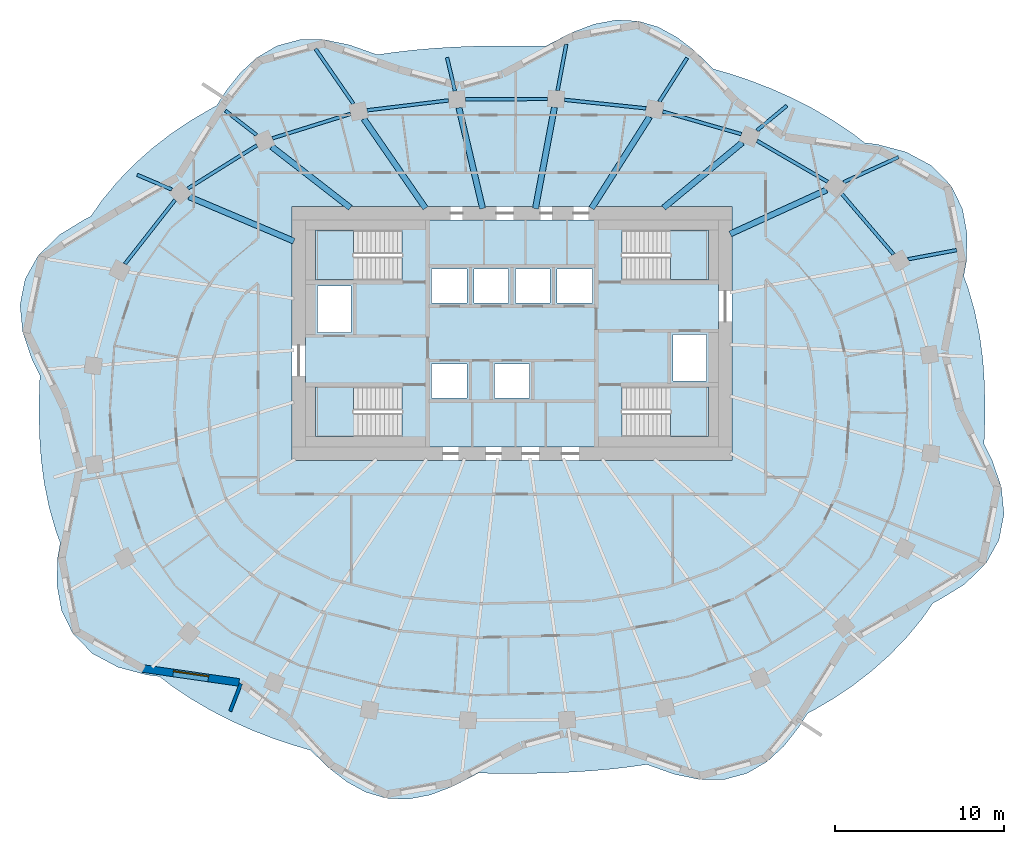
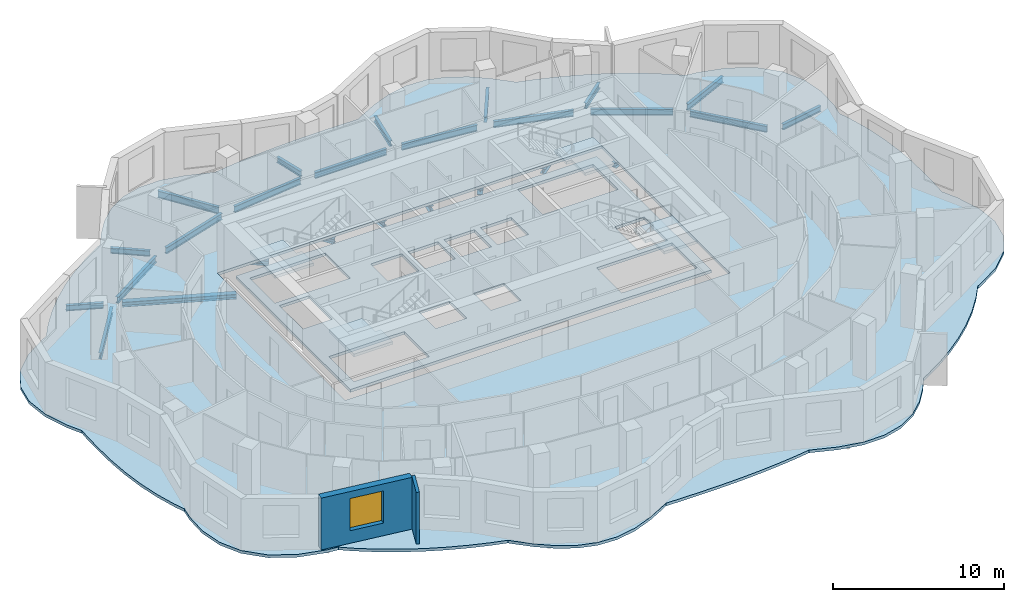
# One storey, part 2 of 11: 26 beams, 6 slabs, 2 walls, 1 window, 1 opening, 4 elements without a shape of their own.
"""IFC4 building model written with IfcOpenShell, lengths in metres."""

from ifc_helpers import new_model, si_unit, direction, frame, frame_2d, origin, origin_2d, place, context, subcontext, project, spatial, polyline, rectangle, i_section, outline, extrude, material, layer, layer_set, material_profile, profile_set, type_object, element, fill, aggregate, save


model = new_model("IFC4")

# Units and contexts
model_context = context("Model", 3, precision=1e-05, world=origin(), true_north=direction((0.0, 1.0)))
body_context = subcontext(model_context, "Body", "Model", "MODEL_VIEW")
ifc_project = project(units=[si_unit("LENGTHUNIT", "METRE"), si_unit("AREAUNIT", "SQUARE_METRE"), si_unit("VOLUMEUNIT", "CUBIC_METRE"), si_unit("PLANEANGLEUNIT", "RADIAN"), si_unit("MASSUNIT", "GRAM", prefix="KILO")], contexts=[model_context])

# Site, building, storey
site_placement = place(None, origin())
site = spatial("IfcSite", under=ifc_project, at=site_placement, CompositionType="ELEMENT")
building_placement = place(site_placement, origin())
building = spatial("IfcBuilding", under=site, at=building_placement, Name="Rubra Terraces Tower", CompositionType="ELEMENT")
storey_placement = place(building_placement, frame((0.0, 0.0, 174.0)))
storey = spatial("IfcBuildingStorey", under=building, at=storey_placement, Name="L42", CompositionType="ELEMENT", Elevation=174.0)

# Beams
ifc_material_1 = material(Name="Steel Q355B", Category="steel")
ifc_material_profile_1 = material_profile(ifc_material_1, i_section(OverallWidth=0.199951171875, OverallDepth=0.39990234375, WebThickness=0.008056640625, FlangeThickness=0.012939453125, at=origin_2d()), Name="HN 400x200x8x13")
ifc_profile_set_1 = profile_set([ifc_material_profile_1], Name="Steel Q355B")
beam_type_1 = type_object("IfcBeamType", Name="CANTILEVER BEAM HN 400x200x8x13", PredefinedType="BEAM", material=ifc_profile_set_1)
beam_1_placement = place(storey_placement, frame((23.39794921875, 8.884033203125, -0.39990234375), z_axis=(0.982856170911, 0.184373933356, 0.0), x_axis=(-0.184373933356, 0.982856170911, 0.0)))
element("IfcBeam", 1, at=beam_1_placement, inside=storey, type_object=beam_type_1, Name="beam-L42-cant-02", PredefinedType="BEAM", context=body_context, shape_type="SweptSolid", body=[
    extrude(i_section(OverallWidth=0.199951171875, OverallDepth=0.39990234375, WebThickness=0.008056640625, FlangeThickness=0.012939453125, at=origin_2d()), origin(), (0.0, 0.0, 1.0), 2.934326171875),
])
beam_2_placement = place(storey_placement, frame((14.47509765625, 16.4951171875, -0.39990234375), z_axis=(0.769939283083, 0.63811715254, 0.0), x_axis=(-0.63811715254, 0.769939283083, 0.0)))
element("IfcBeam", 2, at=beam_2_placement, inside=storey, type_object=beam_type_1, Name="beam-L42-cant-04", PredefinedType="BEAM", context=body_context, shape_type="SweptSolid", body=[
    extrude(i_section(OverallWidth=0.199951171875, OverallDepth=0.39990234375, WebThickness=0.008056640625, FlangeThickness=0.012939453125, at=origin_2d()), origin(), (0.0, 0.0, 1.0), 2.291015625),
])
beam_3_placement = place(storey_placement, frame((8.7099609375, 18.201904296875, -0.39990234375), z_axis=(0.536555231363, 0.843865204696, 0.0), x_axis=(-0.843865204696, 0.536555231363, 0.0)))
element("IfcBeam", 3, at=beam_3_placement, inside=storey, type_object=beam_type_1, Name="beam-L42-cant-05", PredefinedType="BEAM", context=body_context, shape_type="SweptSolid", body=[
    extrude(i_section(OverallWidth=0.199951171875, OverallDepth=0.39990234375, WebThickness=0.008056640625, FlangeThickness=0.012939453125, at=origin_2d()), origin(), (0.0, 0.0, 1.0), 3.05859375),
])
beam_4_placement = place(storey_placement, frame((2.695068359375, 18.85400390625, -0.39990234375), z_axis=(0.184719314681, 0.982791318024, 0.0), x_axis=(-0.982791318024, 0.184719314681, 0.0)))
element("IfcBeam", 4, at=beam_4_placement, inside=storey, type_object=beam_type_1, Name="beam-L42-cant-06", PredefinedType="BEAM", context=body_context, shape_type="SweptSolid", body=[
    extrude(i_section(OverallWidth=0.199951171875, OverallDepth=0.39990234375, WebThickness=0.008056640625, FlangeThickness=0.012939453125, at=origin_2d()), origin(), (0.0, 0.0, 1.0), 2.771484375),
])
beam_5_placement = place(storey_placement, frame((-3.3701171875, 18.823974609375, -0.39990234375), z_axis=(-0.229146211708, 0.97339201438, 0.0), x_axis=(-0.97339201438, -0.229146211708, 0.0)))
element("IfcBeam", 5, at=beam_5_placement, inside=storey, type_object=beam_type_1, Name="beam-L42-cant-07", PredefinedType="BEAM", context=body_context, shape_type="SweptSolid", body=[
    extrude(i_section(OverallWidth=0.199951171875, OverallDepth=0.39990234375, WebThickness=0.008056640625, FlangeThickness=0.012939453125, at=origin_2d()), origin(), (0.0, 0.0, 1.0), 2.037109375),
])
beam_6_placement = place(storey_placement, frame((-15.087890625, 16.22705078125, -0.39990234375), z_axis=(-0.789487046364, 0.613767222669, 0.0), x_axis=(-0.613767222669, -0.789487046364, 0.0)))
element("IfcBeam", 6, at=beam_6_placement, inside=storey, type_object=beam_type_1, Name="beam-L42-cant-09", PredefinedType="BEAM", context=body_context, shape_type="SweptSolid", body=[
    extrude(i_section(OverallWidth=0.199951171875, OverallDepth=0.39990234375, WebThickness=0.008056640625, FlangeThickness=0.012939453125, at=origin_2d()), origin(), (0.0, 0.0, 1.0), 2.339599609375),
])
beam_7_placement = place(storey_placement, frame((-20.10205078125, 13.0048828125, -0.39990234375), z_axis=(-0.920797229699, 0.390041615445, 0.0), x_axis=(-0.390041615445, -0.920797229699, 0.0)))
element("IfcBeam", 7, at=beam_7_placement, inside=storey, type_object=beam_type_1, Name="beam-L42-cant-10", PredefinedType="BEAM", context=body_context, shape_type="SweptSolid", body=[
    extrude(i_section(OverallWidth=0.199951171875, OverallDepth=0.39990234375, WebThickness=0.008056640625, FlangeThickness=0.012939453125, at=origin_2d()), origin(), (0.0, 0.0, 1.0), 2.220703125),
])
ifc_material_profile_2 = material_profile(ifc_material_1, i_section(OverallWidth=0.198974609375, OverallDepth=0.446044921875, WebThickness=0.008056640625, FlangeThickness=0.011962890625, at=origin_2d()), Name="HN 446x199x8x12")
ifc_profile_set_2 = profile_set([ifc_material_profile_2], Name="Steel Q355B")
beam_type_2 = type_object("IfcBeamType", Name="CANTILEVER BEAM HN 446x199x8x12", PredefinedType="BEAM", material=ifc_profile_set_2)
beam_8_placement = place(storey_placement, frame((19.596923828125, 13.43896484375, -0.423095703125), z_axis=(0.909750987553, 0.415154357614, 0.0), x_axis=(-0.415154357614, 0.909750987553, 0.0)))
element("IfcBeam", 8, at=beam_8_placement, inside=storey, type_object=beam_type_2, Name="beam-L42-cant-03", PredefinedType="BEAM", context=body_context, shape_type="SweptSolid", body=[
    extrude(i_section(OverallWidth=0.198974609375, OverallDepth=0.446044921875, WebThickness=0.008056640625, FlangeThickness=0.011962890625, at=origin_2d()), origin(), (0.0, 0.0, 1.0), 3.56494140625),
])
ifc_material_profile_3 = material_profile(ifc_material_1, i_section(OverallWidth=0.198974609375, OverallDepth=0.49609375, WebThickness=0.009033203125, FlangeThickness=0.013916015625, at=origin_2d()), Name="HN 496x199x9x14")
ifc_profile_set_3 = profile_set([ifc_material_profile_3], Name="Steel Q355B")
beam_type_3 = type_object("IfcBeamType", Name="CANTILEVER BEAM HN 496x199x9x14", PredefinedType="BEAM", material=ifc_profile_set_3)
beam_9_placement = place(storey_placement, frame((-9.3701171875, 18.070068359375, -0.447998046875), z_axis=(-0.568216621414, 0.822879013676, 0.0), x_axis=(-0.822879013676, -0.568216621414, 0.0)))
element("IfcBeam", 9, at=beam_9_placement, inside=storey, type_object=beam_type_3, Name="beam-L42-cant-08", PredefinedType="BEAM", context=body_context, shape_type="SweptSolid", body=[
    extrude(i_section(OverallWidth=0.198974609375, OverallDepth=0.49609375, WebThickness=0.009033203125, FlangeThickness=0.013916015625, at=origin_2d()), origin(), (0.0, 0.0, 1.0), 3.95068359375),
])
ifc_material_profile_4 = material_profile(ifc_material_1, i_section(OverallWidth=0.35009765625, OverallDepth=0.35009765625, WebThickness=0.011962890625, FlangeThickness=0.01904296875, at=origin_2d()), Name="HW 350x350x12x19")
ifc_profile_set_4 = profile_set([ifc_material_profile_4], Name="Steel Q355B")
beam_type_4 = type_object("IfcBeamType", Name="FLOOR BEAM HW 350x350x12x19", PredefinedType="BEAM", material=ifc_profile_set_4)
beam_10_placement = place(storey_placement, frame((18.5869140625, 12.97900390625, -0.375), z_axis=(-0.909756526533, -0.415142219523, 0.0), x_axis=(0.415142219523, -0.909756526533, 0.0)))
element("IfcBeam", 10, at=beam_10_placement, inside=storey, type_object=beam_type_4, Name="beam-L42-floor-03", PredefinedType="BEAM", context=body_context, shape_type="SweptSolid", body=[
    extrude(i_section(OverallWidth=0.35009765625, OverallDepth=0.35009765625, WebThickness=0.011962890625, FlangeThickness=0.01904296875, at=origin_2d()), origin(), (0.0, 0.0, 1.0), 6.2607421875),
])
beam_11_placement = place(storey_placement, frame((13.60888671875, 15.777099609375, -0.375), z_axis=(-0.769987518392, -0.638058948312, 0.0), x_axis=(0.638058948312, -0.769987518392, 0.0)))
element("IfcBeam", 11, at=beam_11_placement, inside=storey, type_object=beam_type_4, Name="beam-L42-floor-04", PredefinedType="BEAM", context=body_context, shape_type="SweptSolid", body=[
    extrude(i_section(OverallWidth=0.35009765625, OverallDepth=0.35009765625, WebThickness=0.011962890625, FlangeThickness=0.01904296875, at=origin_2d()), origin(), (0.0, 0.0, 1.0), 6.040283203125),
])
beam_12_placement = place(storey_placement, frame((8.134033203125, 17.2958984375, -0.375), z_axis=(-0.536509861106, -0.843894050776, 0.0), x_axis=(0.843894050776, -0.536509861106, 0.0)))
element("IfcBeam", 12, at=beam_12_placement, inside=storey, type_object=beam_type_4, Name="beam-L42-floor-05", PredefinedType="BEAM", context=body_context, shape_type="SweptSolid", body=[
    extrude(i_section(OverallWidth=0.35009765625, OverallDepth=0.35009765625, WebThickness=0.011962890625, FlangeThickness=0.01904296875, at=origin_2d()), origin(), (0.0, 0.0, 1.0), 6.395263671875),
])
beam_13_placement = place(storey_placement, frame((2.509033203125, 17.862060546875, -0.375), z_axis=(-0.184574398021, -0.982818544593, 0.0), x_axis=(0.982818544593, -0.184574398021, 0.0)))
element("IfcBeam", 13, at=beam_13_placement, inside=storey, type_object=beam_type_4, Name="beam-L42-floor-06", PredefinedType="BEAM", context=body_context, shape_type="SweptSolid", body=[
    extrude(i_section(OverallWidth=0.35009765625, OverallDepth=0.35009765625, WebThickness=0.011962890625, FlangeThickness=0.01904296875, at=origin_2d()), origin(), (0.0, 0.0, 1.0), 6.08447265625),
])
beam_14_placement = place(storey_placement, frame((-3.137939453125, 17.8359375, -0.375), z_axis=(0.229070485592, -0.973409837957, 0.0), x_axis=(0.973409837957, 0.229070485592, 0.0)))
element("IfcBeam", 14, at=beam_14_placement, inside=storey, type_object=beam_type_4, Name="beam-L42-floor-07", PredefinedType="BEAM", context=body_context, shape_type="SweptSolid", body=[
    extrude(i_section(OverallWidth=0.35009765625, OverallDepth=0.35009765625, WebThickness=0.011962890625, FlangeThickness=0.01904296875, at=origin_2d()), origin(), (0.0, 0.0, 1.0), 6.115478515625),
])
beam_15_placement = place(storey_placement, frame((-8.756103515625, 17.179931640625, -0.375), z_axis=(0.568186422001, -0.822899866238, 0.0), x_axis=(0.822899866238, 0.568186422001, 0.0)))
element("IfcBeam", 15, at=beam_15_placement, inside=storey, type_object=beam_type_4, Name="beam-L42-floor-08", PredefinedType="BEAM", context=body_context, shape_type="SweptSolid", body=[
    extrude(i_section(OverallWidth=0.35009765625, OverallDepth=0.35009765625, WebThickness=0.011962890625, FlangeThickness=0.01904296875, at=origin_2d()), origin(), (0.0, 0.0, 1.0), 6.415283203125),
])
beam_16_placement = place(storey_placement, frame((-14.197998046875, 15.534912109375, -0.375), z_axis=(0.789548898228, -0.613687654517, 0.0), x_axis=(0.613687654517, 0.789548898228, 0.0)))
element("IfcBeam", 16, at=beam_16_placement, inside=storey, type_object=beam_type_4, Name="beam-L42-floor-09", PredefinedType="BEAM", context=body_context, shape_type="SweptSolid", body=[
    extrude(i_section(OverallWidth=0.35009765625, OverallDepth=0.35009765625, WebThickness=0.011962890625, FlangeThickness=0.01904296875, at=origin_2d()), origin(), (0.0, 0.0, 1.0), 5.880615234375),
])
beam_17_placement = place(storey_placement, frame((-19.083984375, 12.574951171875, -0.375), z_axis=(0.92097476483, -0.38962223056, 0.0), x_axis=(0.38962223056, 0.92097476483, 0.0)))
element("IfcBeam", 17, at=beam_17_placement, inside=storey, type_object=beam_type_4, Name="beam-L42-floor-10", PredefinedType="BEAM", context=body_context, shape_type="SweptSolid", body=[
    extrude(i_section(OverallWidth=0.35009765625, OverallDepth=0.35009765625, WebThickness=0.011962890625, FlangeThickness=0.01904296875, at=origin_2d()), origin(), (0.0, 0.0, 1.0), 6.7265625),
])
ifc_material_profile_5 = material_profile(ifc_material_1, i_section(OverallWidth=0.198974609375, OverallDepth=0.446044921875, WebThickness=0.008056640625, FlangeThickness=0.011962890625, at=origin_2d()), Name="HN 446x199x8x12")
ifc_profile_set_5 = profile_set([ifc_material_profile_5], Name="Steel Q355B")
beam_type_5 = type_object("IfcBeamType", Name="SPANDREL BEAM HN 446x199x8x12", PredefinedType="SPANDREL", material=ifc_profile_set_5)
beam_18_placement = place(storey_placement, frame((22.547119140625, 9.174072265625, -0.423095703125), z_axis=(-0.650372836218, 0.759615148552, 0.0), x_axis=(-0.759615148552, -0.650372836218, 0.0)))
element("IfcBeam", 18, at=beam_18_placement, inside=storey, type_object=beam_type_5, Name="beam-L42-spandrel-02", PredefinedType="SPANDREL", context=body_context, shape_type="SweptSolid", body=[
    extrude(i_section(OverallWidth=0.198974609375, OverallDepth=0.446044921875, WebThickness=0.008056640625, FlangeThickness=0.011962890625, at=origin_2d()), origin(), (0.0, 0.0, 1.0), 4.804931640625),
])
beam_19_placement = place(storey_placement, frame((18.653076171875, 13.462890625, -0.423095703125), z_axis=(-0.865153680787, 0.501506838059, 0.0), x_axis=(-0.501506838059, -0.865153680787, 0.0)))
element("IfcBeam", 19, at=beam_19_placement, inside=storey, type_object=beam_type_5, Name="beam-L42-spandrel-03", PredefinedType="SPANDREL", context=body_context, shape_type="SweptSolid", body=[
    extrude(i_section(OverallWidth=0.198974609375, OverallDepth=0.446044921875, WebThickness=0.008056640625, FlangeThickness=0.011962890625, at=origin_2d()), origin(), (0.0, 0.0, 1.0), 4.82568359375),
])
beam_20_placement = place(storey_placement, frame((13.55810546875, 16.27490234375, -0.423095703125), z_axis=(-0.961171164323, 0.275952881621, 0.0), x_axis=(-0.275952881621, -0.961171164323, 0.0)))
element("IfcBeam", 20, at=beam_20_placement, inside=storey, type_object=beam_type_5, Name="beam-L42-spandrel-04", PredefinedType="SPANDREL", context=body_context, shape_type="SweptSolid", body=[
    extrude(i_section(OverallWidth=0.198974609375, OverallDepth=0.446044921875, WebThickness=0.008056640625, FlangeThickness=0.011962890625, at=origin_2d()), origin(), (0.0, 0.0, 1.0), 4.842041015625),
])
beam_21_placement = place(storey_placement, frame((7.923095703125, 17.801025390625, -0.423095703125), z_axis=(-0.994565426955, 0.104113454971, 0.0), x_axis=(-0.104113454971, -0.994565426955, 0.0)))
element("IfcBeam", 21, at=beam_21_placement, inside=storey, type_object=beam_type_5, Name="beam-L42-spandrel-05", PredefinedType="SPANDREL", context=body_context, shape_type="SweptSolid", body=[
    extrude(i_section(OverallWidth=0.198974609375, OverallDepth=0.446044921875, WebThickness=0.008056640625, FlangeThickness=0.011962890625, at=origin_2d()), origin(), (0.0, 0.0, 1.0), 4.849365234375),
])
beam_22_placement = place(storey_placement, frame((2.10107421875, 18.35595703125, -0.423095703125), z_axis=(-0.999987852299, -0.004929021704, 0.0), x_axis=(0.004929021704, -0.999987852299, 0.0)))
element("IfcBeam", 22, at=beam_22_placement, inside=storey, type_object=beam_type_5, Name="beam-L42-spandrel-06", PredefinedType="SPANDREL", context=body_context, shape_type="SweptSolid", body=[
    extrude(i_section(OverallWidth=0.198974609375, OverallDepth=0.446044921875, WebThickness=0.008056640625, FlangeThickness=0.011962890625, at=origin_2d()), origin(), (0.0, 0.0, 1.0), 4.85400390625),
])
beam_23_placement = place(storey_placement, frame((-3.7509765625, 18.27001953125, -0.423095703125), z_axis=(-0.992698018573, -0.120626049929, 0.0), x_axis=(0.120626049929, -0.992698018573, 0.0)))
element("IfcBeam", 23, at=beam_23_placement, inside=storey, type_object=beam_type_5, Name="beam-L42-spandrel-07", PredefinedType="SPANDREL", context=body_context, shape_type="SweptSolid", body=[
    extrude(i_section(OverallWidth=0.198974609375, OverallDepth=0.446044921875, WebThickness=0.008056640625, FlangeThickness=0.011962890625, at=origin_2d()), origin(), (0.0, 0.0, 1.0), 4.849365234375),
])
beam_24_placement = place(storey_placement, frame((-9.5419921875, 17.47509765625, -0.423095703125), z_axis=(-0.954462027342, -0.298332429282, 0.0), x_axis=(0.298332429282, -0.954462027342, 0.0)))
element("IfcBeam", 24, at=beam_24_placement, inside=storey, type_object=beam_type_5, Name="beam-L42-spandrel-08", PredefinedType="SPANDREL", context=body_context, shape_type="SweptSolid", body=[
    extrude(i_section(OverallWidth=0.198974609375, OverallDepth=0.446044921875, WebThickness=0.008056640625, FlangeThickness=0.011962890625, at=origin_2d()), origin(), (0.0, 0.0, 1.0), 4.840576171875),
])
beam_25_placement = place(storey_placement, frame((-15.071044921875, 15.614013671875, -0.423095703125), z_axis=(-0.848183088492, -0.529703170083, 0.0), x_axis=(0.529703170083, -0.848183088492, 0.0)))
element("IfcBeam", 25, at=beam_25_placement, inside=storey, type_object=beam_type_5, Name="beam-L42-spandrel-09", PredefinedType="SPANDREL", context=body_context, shape_type="SweptSolid", body=[
    extrude(i_section(OverallWidth=0.198974609375, OverallDepth=0.446044921875, WebThickness=0.008056640625, FlangeThickness=0.011962890625, at=origin_2d()), origin(), (0.0, 0.0, 1.0), 4.8232421875),
])
beam_26_placement = place(storey_placement, frame((-19.906005859375, 12.39111328125, -0.423095703125), z_axis=(-0.617060338015, -0.786915840004, 0.0), x_axis=(0.786915840004, -0.617060338015, 0.0)))
element("IfcBeam", 26, at=beam_26_placement, inside=storey, type_object=beam_type_5, Name="beam-L42-spandrel-10", PredefinedType="SPANDREL", context=body_context, shape_type="SweptSolid", body=[
    extrude(i_section(OverallWidth=0.198974609375, OverallDepth=0.446044921875, WebThickness=0.008056640625, FlangeThickness=0.011962890625, at=origin_2d()), origin(), (0.0, 0.0, 1.0), 4.8037109375),
])

# Slab
ifc_material_2 = material(Name="Concrete C40", Category="concrete")
ifc_layer_1 = layer(ifc_material_2, 0.199951171875)
ifc_layer_set_1 = layer_set([ifc_layer_1], Name="Concrete C40")
slab_type_1 = type_object("IfcSlabType", Name="Core floor slab 200 concrete", PredefinedType="FLOOR", material=ifc_layer_set_1)
slab_1_placement = place(storey_placement, frame((0.0, 0.0, -0.199951171875)))
element("IfcSlab", 27, at=slab_1_placement, inside=storey, type_object=slab_type_1, Name="CORE FLOOR SLAB L42", PredefinedType="FLOOR", context=body_context, shape_type="SweptSolid", body=[
    extrude(outline(polyline([(-12.199951171875, -2.199951171875), (-12.199951171875, 11.199951171875), (12.199951171875, 11.199951171875), (12.199951171875, -2.199951171875), (-12.199951171875, -2.199951171875)]), holes=[polyline([(11.597900390625, 1.347900390625), (6.501953125, 1.347900390625), (6.501953125, -1.597900390625), (11.597900390625, -1.597900390625), (11.597900390625, 1.347900390625)]), polyline([(11.597900390625, 7.652099609375), (11.597900390625, 10.597900390625), (6.501953125, 10.597900390625), (6.501953125, 7.652099609375), (11.597900390625, 7.652099609375)]), polyline([(9.5, 1.699951171875), (11.5, 1.699951171875), (11.5, 4.449951171875), (9.5, 4.449951171875), (9.5, 1.699951171875)]), polyline([(4.75, 6.300048828125), (4.75, 8.300048828125), (2.64990234375, 8.300048828125), (2.64990234375, 6.300048828125), (4.75, 6.300048828125)]), polyline([(2.25, 8.300048828125), (0.199951171875, 8.300048828125), (0.199951171875, 6.300048828125), (2.25, 6.300048828125), (2.25, 8.300048828125)]), polyline([(1.02490234375, 0.699951171875), (1.02490234375, 2.699951171875), (-1.02490234375, 2.699951171875), (-1.02490234375, 0.699951171875), (1.02490234375, 0.699951171875)]), polyline([(-0.199951171875, 6.300048828125), (-0.199951171875, 8.300048828125), (-2.25, 8.300048828125), (-2.25, 6.300048828125), (-0.199951171875, 6.300048828125)]), polyline([(-4.75, 8.300048828125), (-4.75, 6.300048828125), (-2.64990234375, 6.300048828125), (-2.64990234375, 8.300048828125), (-4.75, 8.300048828125)]), polyline([(-2.64990234375, 0.699951171875), (-2.64990234375, 2.699951171875), (-4.75, 2.699951171875), (-4.75, 0.699951171875), (-2.64990234375, 0.699951171875)]), polyline([(-11.597900390625, -1.597900390625), (-6.501953125, -1.597900390625), (-6.501953125, 1.347900390625), (-11.597900390625, 1.347900390625), (-11.597900390625, -1.597900390625)]), polyline([(-11.597900390625, 10.597900390625), (-11.597900390625, 7.652099609375), (-6.501953125, 7.652099609375), (-6.501953125, 10.597900390625), (-11.597900390625, 10.597900390625)]), polyline([(-9.5, 4.550048828125), (-9.5, 7.300048828125), (-11.5, 7.300048828125), (-11.5, 4.550048828125), (-9.5, 4.550048828125)])]), origin(), (0.0, 0.0, 1.0), 0.199951171875),
])

# Stair, slab
stair_type = type_object("IfcStairType", Name="Core stair 1400", PredefinedType="HALF_TURN_STAIR", material=ifc_material_2)
stair_1_placement = place(storey_placement, origin())
stair_1 = element("IfcStair", 28, at=stair_1_placement, inside=storey, type_object=stair_type, Name="L42 Exit stair S1", PredefinedType="HALF_TURN_STAIR")
ifc_layer_2 = layer(ifc_material_2, 0.199951171875)
ifc_layer_set_2 = layer_set([ifc_layer_2], Name="Concrete C40")
slab_type_2 = type_object("IfcSlabType", Name="Core stair landing 200", PredefinedType="LANDING", material=ifc_layer_set_2)
slab_2_placement = place(storey_placement, frame((0.0, 0.0, 1.75)))
slab_2 = element("IfcSlab", 29, at=slab_2_placement, type_object=slab_type_2, Name="S1 landing 1", PredefinedType="LANDING", context=body_context, shape_type="SweptSolid", body=[
    extrude(outline(polyline([(-8.97998046875, -0.199951171875), (-8.97998046875, -1.60009765625), (-9.360107421875, -1.60009765625), (-9.3798828125, -1.60009765625), (-11.60009765625, -1.60009765625), (-11.60009765625, 1.35009765625), (-9.3798828125, 1.35009765625), (-9.35791015625, 1.35009765625), (-9.35791015625, -0.050048828125), (-9.360107421875, -0.050048828125), (-9.360107421875, -0.199951171875), (-8.97998046875, -0.199951171875)])), origin(), (0.0, 0.0, 1.0), 0.199951171875),
])
aggregate(stair_1, [slab_2])

stair_2_placement = place(storey_placement, origin())
stair_2 = element("IfcStair", 30, at=stair_2_placement, inside=storey, type_object=stair_type, Name="L42 Exit stair S2", PredefinedType="HALF_TURN_STAIR")
slab_3_placement = place(storey_placement, frame((0.0, 0.0, 1.75)))
slab_3 = element("IfcSlab", 31, at=slab_3_placement, type_object=slab_type_2, Name="S2 landing 1", PredefinedType="LANDING", context=body_context, shape_type="SweptSolid", body=[
    extrude(outline(polyline([(-8.97998046875, 9.050048828125), (-8.97998046875, 7.64990234375), (-9.3798828125, 7.64990234375), (-11.60009765625, 7.64990234375), (-11.60009765625, 10.60009765625), (-9.3798828125, 10.60009765625), (-9.360107421875, 10.60009765625), (-9.35791015625, 10.60009765625), (-9.35791015625, 9.199951171875), (-9.360107421875, 9.199951171875), (-9.360107421875, 9.050048828125), (-8.97998046875, 9.050048828125)])), origin(), (0.0, 0.0, 1.0), 0.199951171875),
])
aggregate(stair_2, [slab_3])

stair_3_placement = place(storey_placement, origin())
stair_3 = element("IfcStair", 32, at=stair_3_placement, inside=storey, type_object=stair_type, Name="L42 Exit stair S3", PredefinedType="HALF_TURN_STAIR")
slab_4_placement = place(storey_placement, frame((0.0, 0.0, 1.75)))
slab_4 = element("IfcSlab", 33, at=slab_4_placement, type_object=slab_type_2, Name="S3 landing 1", PredefinedType="LANDING", context=body_context, shape_type="SweptSolid", body=[
    extrude(outline(polyline([(9.360107421875, 9.050048828125), (9.360107421875, 9.199951171875), (8.97998046875, 9.199951171875), (8.97998046875, 10.60009765625), (9.360107421875, 10.60009765625), (9.3798828125, 10.60009765625), (11.60009765625, 10.60009765625), (11.60009765625, 7.64990234375), (9.3798828125, 7.64990234375), (9.35791015625, 7.64990234375), (9.35791015625, 9.050048828125), (9.360107421875, 9.050048828125)])), origin(), (0.0, 0.0, 1.0), 0.199951171875),
])
aggregate(stair_3, [slab_4])

stair_4_placement = place(storey_placement, origin())
stair_4 = element("IfcStair", 34, at=stair_4_placement, inside=storey, type_object=stair_type, Name="L42 Exit stair S4", PredefinedType="HALF_TURN_STAIR")
slab_5_placement = place(storey_placement, frame((0.0, 0.0, 1.75)))
slab_5 = element("IfcSlab", 35, at=slab_5_placement, type_object=slab_type_2, Name="S4 landing 1", PredefinedType="LANDING", context=body_context, shape_type="SweptSolid", body=[
    extrude(outline(polyline([(9.360107421875, -0.199951171875), (9.360107421875, -0.050048828125), (8.97998046875, -0.050048828125), (8.97998046875, 1.35009765625), (9.360107421875, 1.35009765625), (9.3798828125, 1.35009765625), (11.60009765625, 1.35009765625), (11.60009765625, -1.60009765625), (9.3798828125, -1.60009765625), (9.360107421875, -1.60009765625), (9.35791015625, -1.60009765625), (9.35791015625, -0.199951171875), (9.360107421875, -0.199951171875)])), origin(), (0.0, 0.0, 1.0), 0.199951171875),
])
aggregate(stair_4, [slab_5])

# Slab
ifc_layer_3 = layer(ifc_material_2, 0.199951171875)
ifc_layer_set_3 = layer_set([ifc_layer_3], Name="Concrete C40")
slab_type_3 = type_object("IfcSlabType", Name="FLOOR SLAB 200 COMPOSITE", PredefinedType="FLOOR", material=ifc_layer_set_3)
slab_6_placement = place(storey_placement, frame((0.0, 0.0, -0.199951171875)))
element("IfcSlab", 36, at=slab_6_placement, inside=storey, type_object=slab_type_3, Name="FLOOR SLAB L42", PredefinedType="FLOOR", context=body_context, shape_type="SweptSolid", body=[
    extrude(outline(polyline([(21.576904296875, 15.677001953125), (20.8349609375, 15.76806640625), (20.15087890625, 16.298095703125), (18.990966796875, 17.077880859375), (17.784912109375, 17.784912109375), (16.591064453125, 18.39599609375), (15.365966796875, 18.944091796875), (14.115966796875, 19.428955078125), (12.906982421875, 19.8359375), (11.887939453125, 20.131103515625), (11.72509765625, 20.303955078125), (10.798095703125, 21.19189453125), (9.7509765625, 22.001953125), (8.634033203125, 22.60888671875), (7.4599609375, 22.958984375), (6.156982421875, 23.02197265625), (4.837890625, 22.77490234375), (3.528076171875, 22.27490234375), (2.3291015625, 21.662109375), (2.0, 21.47607421875), (1.132080078125, 21.493896484375), (0.0, 21.5), (-1.132080078125, 21.493896484375), (-2.262939453125, 21.470947265625), (-3.39404296875, 21.427001953125), (-4.552978515625, 21.35498046875), (-5.7099609375, 21.256103515625), (-6.864013671875, 21.1259765625), (-7.97705078125, 20.967041015625), (-8.09912109375, 21.01806640625), (-9.613037109375, 21.552001953125), (-11.14208984375, 21.866943359375), (-12.552978515625, 21.85595703125), (-13.886962890625, 21.4951171875), (-15.10009765625, 20.782958984375), (-16.069091796875, 19.883056640625), (-16.9140625, 18.81005859375), (-17.4599609375, 17.950927734375), (-17.784912109375, 17.784912109375), (-18.990966796875, 17.077880859375), (-20.15087890625, 16.298095703125), (-21.256103515625, 15.444091796875), (-22.327880859375, 14.489013671875), (-23.324951171875, 13.45703125), (-24.239013671875, 12.35009765625), (-24.89599609375, 11.408935546875), (-25.175048828125, 11.283935546875), (-26.72509765625, 10.337890625), (-28.0, 9.097900390625), (-28.77099609375, 7.715087890625), (-29.072021484375, 6.176025390625), (-28.912109375, 4.5791015625), (-28.365966796875, 2.970947265625), (-27.887939453125, 2.013916015625), (-27.925048828125, 1.464111328125), (-27.949951171875, 0.0), (-27.925048828125, -1.464111328125), (-27.825927734375, -2.925048828125), (-27.635009765625, -4.376953125), (-27.342041015625, -5.81005859375), (-26.93994140625, -7.217041015625), (-26.693115234375, -7.8720703125), (-26.843994140625, -8.721923828125), (-26.89794921875, -10.322021484375), (-26.618896484375, -11.860107421875), (-25.9541015625, -13.22412109375), (-24.791015625, -14.4169921875), (-23.280029296875, -15.22412109375), (-21.576904296875, -15.677001953125), (-20.8349609375, -15.76806640625), (-20.15087890625, -16.298095703125), (-18.990966796875, -17.077880859375), (-17.784912109375, -17.784912109375), (-16.591064453125, -18.39599609375), (-15.365966796875, -18.944091796875), (-14.115966796875, -19.428955078125), (-12.906982421875, -19.8359375), (-11.887939453125, -20.131103515625), (-11.72509765625, -20.303955078125), (-10.798095703125, -21.19189453125), (-9.7509765625, -22.001953125), (-8.634033203125, -22.60888671875), (-7.4599609375, -22.958984375), (-6.156982421875, -23.02197265625), (-4.837890625, -22.77490234375), (-3.528076171875, -22.27490234375), (-2.3291015625, -21.662109375), (-2.0, -21.47607421875), (-1.132080078125, -21.493896484375), (0.0, -21.5), (1.132080078125, -21.493896484375), (2.262939453125, -21.470947265625), (3.39404296875, -21.427001953125), (4.552978515625, -21.35498046875), (5.7099609375, -21.256103515625), (6.864013671875, -21.1259765625), (7.97705078125, -20.967041015625), (8.09912109375, -21.01806640625), (9.613037109375, -21.552001953125), (11.14208984375, -21.866943359375), (12.552978515625, -21.85595703125), (13.886962890625, -21.4951171875), (15.10009765625, -20.782958984375), (16.069091796875, -19.883056640625), (16.9140625, -18.81005859375), (17.4599609375, -17.950927734375), (17.784912109375, -17.784912109375), (18.990966796875, -17.077880859375), (20.15087890625, -16.298095703125), (21.256103515625, -15.444091796875), (22.327880859375, -14.489013671875), (23.324951171875, -13.45703125), (24.239013671875, -12.35009765625), (24.89599609375, -11.408935546875), (25.175048828125, -11.283935546875), (26.72509765625, -10.337890625), (28.0, -9.097900390625), (28.77099609375, -7.715087890625), (29.072021484375, -6.176025390625), (28.912109375, -4.5791015625), (28.365966796875, -2.970947265625), (27.887939453125, -2.013916015625), (27.925048828125, -1.464111328125), (27.949951171875, 0.0), (27.925048828125, 1.464111328125), (27.825927734375, 2.925048828125), (27.635009765625, 4.376953125), (27.342041015625, 5.81005859375), (26.93994140625, 7.217041015625), (26.693115234375, 7.8720703125), (26.843994140625, 8.721923828125), (26.89794921875, 10.322021484375), (26.618896484375, 11.860107421875), (25.9541015625, 13.22412109375), (24.791015625, 14.4169921875), (23.280029296875, 15.22412109375), (21.576904296875, 15.677001953125)]), holes=[polyline([(13.0, 12.0), (13.0, -3.0), (-13.0, -3.0), (-13.0, 12.0), (13.0, 12.0)])]), origin(), (0.0, 0.0, 1.0), 0.199951171875),
])

# Wall, opening, window
ifc_material_3 = material(Name="Brick masonry red-brown", Category="masonry")
ifc_layer_4 = layer(ifc_material_3, 0.449951171875)
ifc_layer_set_4 = layer_set([ifc_layer_4], Name="Brick masonry red-brown")
wall_type_1 = type_object("IfcWallType", Name="Brick facade wall 450", PredefinedType="SOLIDWALL", material=ifc_layer_set_4)
wall_1_placement = place(storey_placement, frame((-21.8251953125, -15.297119140625, 0.0), z_axis=(0.0, 0.0, 1.0), x_axis=(0.98971474215, -0.143054986527, 0.0)))
wall_1 = element("IfcWall", 37, at=wall_1_placement, inside=storey, type_object=wall_type_1, Name="Facade wall L42 bay 25", PredefinedType="SOLIDWALL", context=body_context, shape_type="SweptSolid", body=[
    extrude(rectangle(XDim=5.7529296875, YDim=0.449951171875, at=frame_2d((2.87646484375, 0.0))), origin(), (0.0, 0.0, 1.0), 3.699951171875),
])
opening_placement = place(wall_1_placement, frame((1.826416015625, 0.0, 0.89990234375)))
opening = element("IfcOpeningElement", 38, at=opening_placement, cuts=wall_1, Name="Opening W1B", PredefinedType="OPENING", context=body_context, shape_type="SweptSolid", body=[
    extrude(rectangle(XDim=2.10009765625, YDim=2.300048828125, at=frame_2d((1.050048828125, 1.14990234375))), frame((0.0, 0.23486328125, 0.0), z_axis=(0.0, -1.0, 0.0), x_axis=(1.0, 0.0, 0.0)), (0.0, 0.0, 1.0), 0.469970703125),
])
ifc_material_4 = material(Name="Clear glass in aluminium frame", Category="aluminium")
window_type = type_object("IfcWindowType", Name="Fixed deep-set window tall storey 2100 x 2300", PartitioningType="SINGLE_PANEL", PredefinedType="WINDOW", material=ifc_material_4)
window_placement = place(opening_placement, origin())
window = element("IfcWindow", 39, at=window_placement, inside=storey, type_object=window_type, Name="Window L42 bay 25", OverallHeight=2.300048828125, OverallWidth=2.10009765625, PartitioningType="SINGLE_PANEL", PredefinedType="WINDOW", context=body_context, shape_type="SweptSolid", body=[
    extrude(rectangle(XDim=2.10009765625, YDim=2.300048828125, at=frame_2d((1.050048828125, 1.14990234375))), frame((0.0, 0.135009765625, 0.0), z_axis=(0.0, -1.0, 0.0), x_axis=(1.0, 0.0, 0.0)), (0.0, 0.0, 1.0), 0.06005859375),
])
fill(opening, window)

# Wall
ifc_layer_5 = layer(ifc_material_3, 0.199951171875)
ifc_layer_set_5 = layer_set([ifc_layer_5], Name="Brick masonry red-brown")
wall_type_2 = type_object("IfcWallType", Name="Brick wind fin 200", PredefinedType="SOLIDWALL", material=ifc_layer_set_5)
wall_2_placement = place(storey_placement, frame((-16.01904296875, -16.195068359375, 0.0), z_axis=(0.0, 0.0, 1.0), x_axis=(-0.362641522028, -0.931928713208, 0.0)))
element("IfcWall", 40, at=wall_2_placement, inside=storey, type_object=wall_type_2, Name="Wind fin L42 16", PredefinedType="SOLIDWALL", context=body_context, shape_type="SweptSolid", body=[
    extrude(rectangle(XDim=1.749755859375, YDim=0.199951171875, at=frame_2d((0.875, 0.0))), origin(), (0.0, 0.0, 1.0), 3.699951171875),
])

save(model, "model.ifc")
